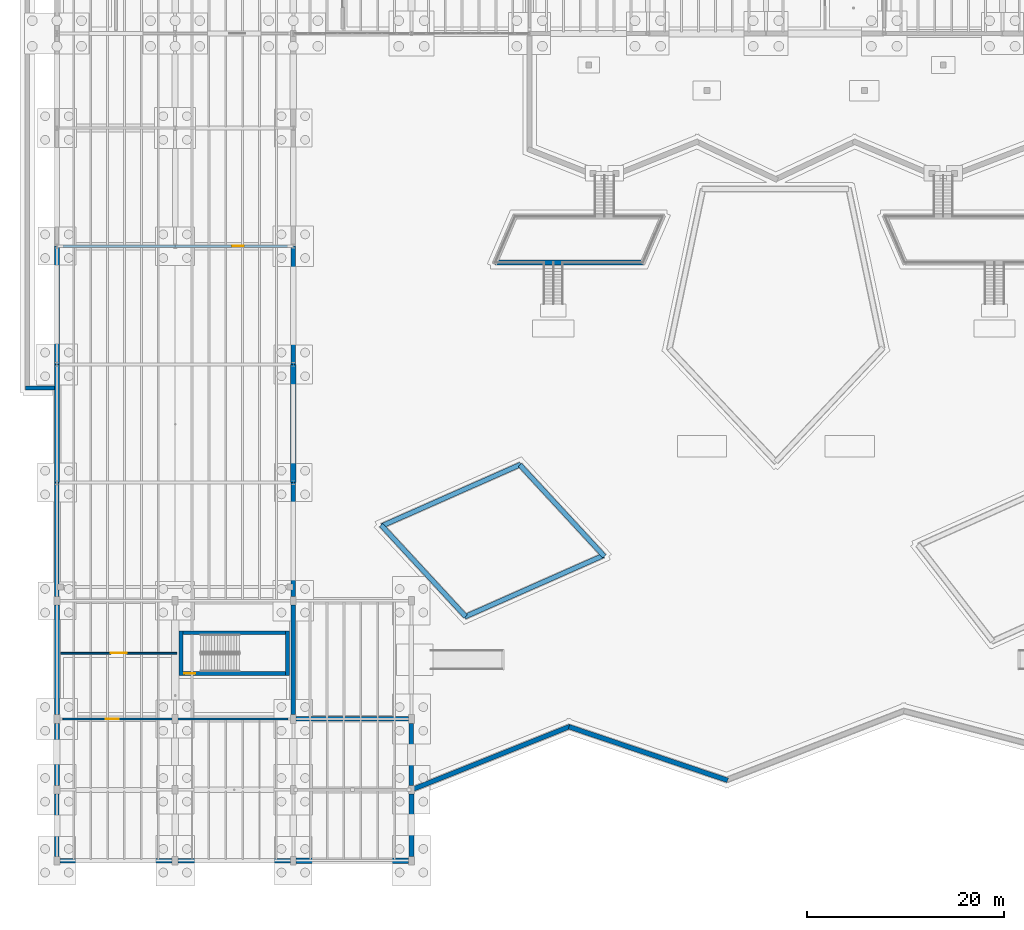
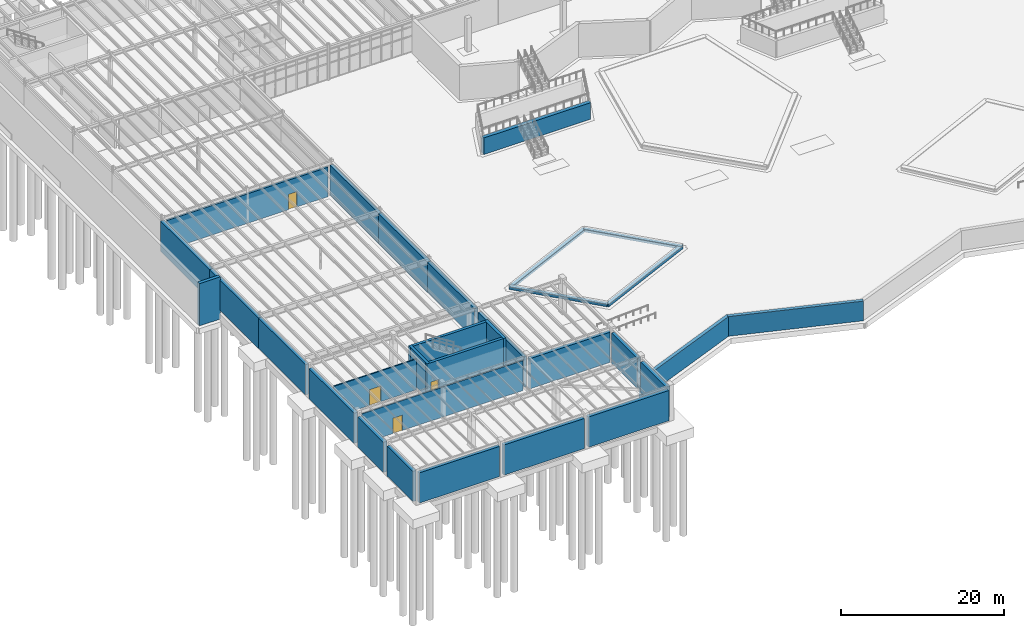
# One storey, part 32 of 67: 31 walls, 4 doors, 4 openings.
"""IFC4 building model written with IfcOpenShell, lengths in metres."""

from ifc_helpers import new_model, si_unit, direction, frame, frame_2d, origin, place, context, subcontext, project, spatial, rectangle, extrude, material, layer, layer_set, type_object, element, fill, save


model = new_model("IFC4")

# Units and contexts
model_context = context("Model", 3, precision=1e-05, world=origin(), true_north=direction((0.0, 1.0)))
body_context = subcontext(model_context, "Body", "Model", "MODEL_VIEW")
ifc_project = project(units=[si_unit("LENGTHUNIT", "METRE"), si_unit("AREAUNIT", "SQUARE_METRE"), si_unit("VOLUMEUNIT", "CUBIC_METRE"), si_unit("PLANEANGLEUNIT", "RADIAN"), si_unit("MASSUNIT", "GRAM", prefix="KILO")], contexts=[model_context])

# Site, building, storey
site_placement = place(None, origin())
site = spatial("IfcSite", under=ifc_project, at=site_placement, CompositionType="ELEMENT")
building_placement = place(site_placement, origin())
building = spatial("IfcBuilding", under=site, at=building_placement, Name="Zlatogorsky Bluff Art Gallery", CompositionType="ELEMENT")
storey_placement = place(building_placement, frame((0.0, 0.0, -5.39990234375)))
storey = spatial("IfcBuildingStorey", under=building, at=storey_placement, Name="B1", CompositionType="ELEMENT", Elevation=-5.39990234375)

# Walls
ifc_material_1 = material(Name="Precast concrete C40/50", Category="concrete")
ifc_layer_1 = layer(ifc_material_1, 0.47998046875)
ifc_layer_set_1 = layer_set([ifc_layer_1], Name="Exterior Wall EW-05 480mm")
wall_type_1 = type_object("IfcWallType", Name="Exterior Wall EW-05 480mm", PredefinedType="SOLIDWALL", material=ifc_layer_set_1)
wall_1_placement = place(storey_placement, frame((36.0, 7.199951171875, -1.300048828125), z_axis=(0.0, 0.0, 1.0), x_axis=(0.92847572057, 0.371393102132, 0.0)))
element("IfcWall", 1, at=wall_1_placement, inside=storey, type_object=wall_type_1, Name="Stepped river-bluff angled concrete wall SBF-01", PredefinedType="SOLIDWALL", context=body_context, shape_type="SweptSolid", body=[
    extrude(rectangle(XDim=17.3525390625, YDim=0.47998046875, at=frame_2d((8.67626953125, 0.0))), origin(), (0.0, 0.0, 1.0), 2.949951171875),
])
wall_2_placement = place(storey_placement, frame((52.0, 13.60009765625, -1.300048828125), z_axis=(0.0, 0.0, 1.0), x_axis=(0.947490865378, -0.319782832599, 0.0)))
element("IfcWall", 2, at=wall_2_placement, inside=storey, type_object=wall_type_1, Name="Stepped river-bluff angled concrete wall SBF-02", PredefinedType="SOLIDWALL", context=body_context, shape_type="SweptSolid", body=[
    extrude(rectangle(XDim=17.0068359375, YDim=0.47998046875, at=frame_2d((8.50341796875, 0.0))), origin(), (0.0, 0.0, 1.0), 2.949951171875),
])
wall_3_placement = place(storey_placement, frame((33.0, 34.0, 0.0), z_axis=(0.0, 0.0, 1.0), x_axis=(0.914349640689, 0.4049255914, 0.0)))
element("IfcWall", 3, at=wall_3_placement, inside=storey, type_object=wall_type_1, Name="Stepped river-bluff angled concrete wall WPL-01", PredefinedType="SOLIDWALL", context=body_context, shape_type="SweptSolid", body=[
    extrude(rectangle(XDim=15.431396484375, YDim=0.47998046875, at=frame_2d((7.7158203125, 0.0))), origin(), (0.0, 0.0, 1.0), 0.3798828125),
])
wall_4_placement = place(storey_placement, frame((47.0, 40.199951171875, 0.0), z_axis=(0.0, 0.0, 1.0), x_axis=(0.678608000796, -0.734500633938, 0.0)))
element("IfcWall", 4, at=wall_4_placement, inside=storey, type_object=wall_type_1, Name="Stepped river-bluff angled concrete wall WPL-02", PredefinedType="SOLIDWALL", context=body_context, shape_type="SweptSolid", body=[
    extrude(rectangle(XDim=12.6455078125, YDim=0.47998046875, at=frame_2d((6.32275390625, 0.0))), origin(), (0.0, 0.0, 1.0), 0.3798828125),
])
wall_5_placement = place(storey_placement, frame((55.5, 31.0, 0.0), z_axis=(0.0, 0.0, 1.0), x_axis=(-0.914349640689, -0.4049255914, 0.0)))
element("IfcWall", 5, at=wall_5_placement, inside=storey, type_object=wall_type_1, Name="Stepped river-bluff angled concrete wall WPL-03", PredefinedType="SOLIDWALL", context=body_context, shape_type="SweptSolid", body=[
    extrude(rectangle(XDim=15.431396484375, YDim=0.47998046875, at=frame_2d((7.7158203125, 0.0))), origin(), (0.0, 0.0, 1.0), 0.3798828125),
])
wall_6_placement = place(storey_placement, frame((41.5, 24.800048828125, 0.0), z_axis=(0.0, 0.0, 1.0), x_axis=(-0.678608000796, 0.734500633938, 0.0)))
element("IfcWall", 6, at=wall_6_placement, inside=storey, type_object=wall_type_1, Name="Stepped river-bluff angled concrete wall WPL-04", PredefinedType="SOLIDWALL", context=body_context, shape_type="SweptSolid", body=[
    extrude(rectangle(XDim=12.6455078125, YDim=0.47998046875, at=frame_2d((6.32275390625, 0.0))), origin(), (0.0, 0.0, 1.0), 0.3798828125),
])
ifc_material_2 = material(Name="Concrete C35/45", Category="concrete")
ifc_layer_2 = layer(ifc_material_2, 0.449951171875)
ifc_layer_set_2 = layer_set([ifc_layer_2], Name="Exterior Wall RW-01 450mm")
wall_type_2 = type_object("IfcWallType", Name="Exterior Wall RW-01 450mm", PredefinedType="USERDEFINED", material=ifc_layer_set_2)
wall_7_placement = place(storey_placement, frame((-0.22998046875, 48.0, -1.300048828125), z_axis=(0.0, 0.0, 1.0), x_axis=(-1.0, 0.0, 0.0)))
element("IfcWall", 7, at=wall_7_placement, inside=storey, type_object=wall_type_2, Name="Stepped river-bluff angled concrete wall NSK-01", ObjectType="RETAINING WALL", PredefinedType="USERDEFINED", context=body_context, shape_type="SweptSolid", body=[
    extrude(rectangle(XDim=2.949951171875, YDim=0.449951171875, at=frame_2d((1.47509765625, 0.0))), origin(), (0.0, 0.0, 1.0), 6.33984375),
])
wall_8_placement = place(storey_placement, frame((0.294921875, 0.0, 0.0), z_axis=(0.0, 0.0, 1.0), x_axis=(1.0, 0.0, 0.0)))
element("IfcWall", 8, at=wall_8_placement, inside=storey, type_object=wall_type_2, Name="Exterior wall RW-01 B1 S 0.0", ObjectType="RETAINING WALL", PredefinedType="USERDEFINED", context=body_context, shape_type="SweptSolid", body=[
    extrude(rectangle(XDim=11.41015625, YDim=0.449951171875, at=frame_2d((5.705078125, 0.0))), origin(), (0.0, 0.0, 1.0), 4.539794921875),
])
wall_9_placement = place(storey_placement, frame((0.0, 6.7548828125, 0.0), z_axis=(0.0, 0.0, 1.0), x_axis=(0.0, -1.0, 0.0)))
element("IfcWall", 9, at=wall_9_placement, inside=storey, type_object=wall_type_2, Name="Exterior wall RW-01 B1 W 0.0", ObjectType="RETAINING WALL", PredefinedType="USERDEFINED", context=body_context, shape_type="SweptSolid", body=[
    extrude(rectangle(XDim=6.309814453125, YDim=0.449951171875, at=frame_2d((3.15478515625, 0.0))), origin(), (0.0, 0.0, 1.0), 4.539794921875),
])
wall_10_placement = place(storey_placement, frame((0.0, 38.39990234375, 0.0), z_axis=(0.0, 0.0, 1.0), x_axis=(0.0, -1.0, 0.0)))
element("IfcWall", 10, at=wall_10_placement, inside=storey, type_object=wall_type_2, Name="Exterior wall RW-01 B1 W 0.3", ObjectType="RETAINING WALL", PredefinedType="USERDEFINED", context=body_context, shape_type="SweptSolid", body=[
    extrude(rectangle(XDim=11.554931640625, YDim=0.449951171875, at=frame_2d((5.77734375, 0.0))), origin(), (0.0, 0.0, 1.0), 4.539794921875),
])
wall_11_placement = place(storey_placement, frame((24.0, 14.844970703125, 0.0), z_axis=(0.0, 0.0, 1.0), x_axis=(0.0, 1.0, 0.0)))
element("IfcWall", 11, at=wall_11_placement, inside=storey, type_object=wall_type_2, Name="Exterior wall RW-01 B1 E 1.2", ObjectType="RETAINING WALL", PredefinedType="USERDEFINED", context=body_context, shape_type="SweptSolid", body=[
    extrude(rectangle(XDim=11.110107421875, YDim=0.449951171875, at=frame_2d((5.55517578125, 0.0))), origin(), (0.0, 0.0, 1.0), 4.539794921875),
])
wall_12_placement = place(storey_placement, frame((24.0, 50.39990234375, 0.0), z_axis=(0.0, 0.0, 1.0), x_axis=(0.0, 1.0, 0.0)))
element("IfcWall", 12, at=wall_12_placement, inside=storey, type_object=wall_type_2, Name="Exterior wall RW-01 B1 E 1.5", ObjectType="RETAINING WALL", PredefinedType="USERDEFINED", context=body_context, shape_type="SweptSolid", body=[
    extrude(rectangle(XDim=12.0, YDim=0.449951171875, at=frame_2d((6.0, 0.0))), origin(), (0.0, 0.0, 1.0), 4.539794921875),
])
wall_13_placement = place(storey_placement, frame((35.705078125, 14.39990234375, 0.0), z_axis=(0.0, 0.0, 1.0), x_axis=(-1.0, 0.0, 0.0)))
element("IfcWall", 13, at=wall_13_placement, inside=storey, type_object=wall_type_2, Name="Exterior wall RW-01 B1 N 2.1", ObjectType="RETAINING WALL", PredefinedType="USERDEFINED", context=body_context, shape_type="SweptSolid", body=[
    extrude(rectangle(XDim=11.41015625, YDim=0.449951171875, at=frame_2d((5.705078125, 0.0))), origin(), (0.0, 0.0, 1.0), 4.539794921875),
])
wall_14_placement = place(storey_placement, frame((36.0, 7.64501953125, 0.0), z_axis=(0.0, 0.0, 1.0), x_axis=(0.0, 1.0, 0.0)))
element("IfcWall", 14, at=wall_14_placement, inside=storey, type_object=wall_type_2, Name="Exterior wall RW-01 B1 E 2.1", ObjectType="RETAINING WALL", PredefinedType="USERDEFINED", context=body_context, shape_type="SweptSolid", body=[
    extrude(rectangle(XDim=6.31005859375, YDim=0.449951171875, at=frame_2d((3.155029296875, 0.0))), origin(), (0.0, 0.0, 1.0), 4.539794921875),
])
ifc_layer_3 = layer(ifc_material_2, 0.5)
ifc_layer_set_3 = layer_set([ifc_layer_3], Name="Exterior Wall RW-02 500mm")
wall_type_3 = type_object("IfcWallType", Name="Exterior Wall RW-02 500mm", PredefinedType="USERDEFINED", material=ifc_layer_set_3)
wall_15_placement = place(storey_placement, frame((0.0, 13.955078125, 0.0), z_axis=(0.0, 0.0, 1.0), x_axis=(0.0, -1.0, 0.0)))
element("IfcWall", 15, at=wall_15_placement, inside=storey, type_object=wall_type_3, Name="Exterior wall RW-02 B1 W 0.1", ObjectType="RETAINING WALL", PredefinedType="USERDEFINED", context=body_context, shape_type="SweptSolid", body=[
    extrude(rectangle(XDim=6.31005859375, YDim=0.5, at=frame_2d((3.155029296875, 0.0))), origin(), (0.0, 0.0, 1.0), 4.539794921875),
])
wall_16_placement = place(storey_placement, frame((0.0, 50.39990234375, 0.0), z_axis=(0.0, 0.0, 1.0), x_axis=(0.0, -1.0, 0.0)))
element("IfcWall", 16, at=wall_16_placement, inside=storey, type_object=wall_type_3, Name="Exterior wall RW-02 B1 W 0.4", ObjectType="RETAINING WALL", PredefinedType="USERDEFINED", context=body_context, shape_type="SweptSolid", body=[
    extrude(rectangle(XDim=12.0, YDim=0.5, at=frame_2d((6.0, 0.0))), origin(), (0.0, 0.0, 1.0), 4.539794921875),
])
wall_17_placement = place(storey_placement, frame((12.294921875, 0.0, 0.0), z_axis=(0.0, 0.0, 1.0), x_axis=(1.0, 0.0, 0.0)))
element("IfcWall", 17, at=wall_17_placement, inside=storey, type_object=wall_type_3, Name="Exterior wall RW-02 B1 S 1.0", ObjectType="RETAINING WALL", PredefinedType="USERDEFINED", context=body_context, shape_type="SweptSolid", body=[
    extrude(rectangle(XDim=11.41015625, YDim=0.5, at=frame_2d((5.705078125, 0.0))), origin(), (0.0, 0.0, 1.0), 4.539794921875),
])
wall_18_placement = place(storey_placement, frame((24.0, 26.844970703125, 0.0), z_axis=(0.0, 0.0, 1.0), x_axis=(0.0, 1.0, 0.0)))
element("IfcWall", 18, at=wall_18_placement, inside=storey, type_object=wall_type_3, Name="Exterior wall RW-02 B1 E 1.3", ObjectType="RETAINING WALL", PredefinedType="USERDEFINED", context=body_context, shape_type="SweptSolid", body=[
    extrude(rectangle(XDim=11.554931640625, YDim=0.5, at=frame_2d((5.77734375, 0.0))), origin(), (0.0, 0.0, 1.0), 4.539794921875),
])
ifc_layer_4 = layer(ifc_material_2, 0.52001953125)
ifc_layer_set_4 = layer_set([ifc_layer_4], Name="Exterior Wall RW-03 520mm")
wall_type_4 = type_object("IfcWallType", Name="Exterior Wall RW-03 520mm", PredefinedType="USERDEFINED", material=ifc_layer_set_4)
wall_19_placement = place(storey_placement, frame((44.5, 60.75, 0.0), z_axis=(0.0, 0.0, 1.0), x_axis=(1.0, 0.0, 0.0)))
element("IfcWall", 19, at=wall_19_placement, inside=storey, type_object=wall_type_4, Name="Stepped river-bluff angled concrete wall WMD-01", ObjectType="RETAINING WALL", PredefinedType="USERDEFINED", context=body_context, shape_type="SweptSolid", body=[
    extrude(rectangle(XDim=15.179931640625, YDim=0.52001953125, at=frame_2d((7.58984375, 0.0))), origin(), (0.0, 0.0, 1.0), 2.489990234375),
])
wall_20_placement = place(storey_placement, frame((0.0, 25.955078125, 0.0), z_axis=(0.0, 0.0, 1.0), x_axis=(0.0, -1.0, 0.0)))
element("IfcWall", 20, at=wall_20_placement, inside=storey, type_object=wall_type_4, Name="Exterior wall RW-03 B1 W 0.2", ObjectType="RETAINING WALL", PredefinedType="USERDEFINED", context=body_context, shape_type="SweptSolid", body=[
    extrude(rectangle(XDim=11.110107421875, YDim=0.52001953125, at=frame_2d((5.55517578125, 0.0))), origin(), (0.0, 0.0, 1.0), 4.539794921875),
])
for number, where, z_axis, x_axis, name in (
    (21, (0.0, 62.39990234375, 0.0), (0.0, 0.0, 1.0), (0.0, -1.0, 0.0), "Exterior wall RW-03 B1 W 0.5"),
    (22, (24.0, 38.39990234375, 0.0), (0.0, 0.0, 1.0), (0.0, 1.0, 0.0), "Exterior wall RW-03 B1 E 1.4"),
):
    element("IfcWall", number, at=place(storey_placement, frame(where, z_axis=z_axis, x_axis=x_axis)), inside=storey, type_object=wall_type_4, Name=name, ObjectType="RETAINING WALL", PredefinedType="USERDEFINED", context=body_context, shape_type="SweptSolid", body=[
        extrude(rectangle(XDim=12.0, YDim=0.52001953125, at=frame_2d((6.0, 0.0))), origin(), (0.0, 0.0, 1.0), 4.539794921875),
    ])
wall_21_placement = place(storey_placement, frame((24.294921875, 0.0, 0.0), z_axis=(0.0, 0.0, 1.0), x_axis=(1.0, 0.0, 0.0)))
element("IfcWall", 23, at=wall_21_placement, inside=storey, type_object=wall_type_4, Name="Exterior wall RW-03 B1 S 2.0", ObjectType="RETAINING WALL", PredefinedType="USERDEFINED", context=body_context, shape_type="SweptSolid", body=[
    extrude(rectangle(XDim=11.41015625, YDim=0.52001953125, at=frame_2d((5.705078125, 0.0))), origin(), (0.0, 0.0, 1.0), 4.539794921875),
])
wall_22_placement = place(storey_placement, frame((36.0, 0.445068359375, 0.0), z_axis=(0.0, 0.0, 1.0), x_axis=(0.0, 1.0, 0.0)))
element("IfcWall", 24, at=wall_22_placement, inside=storey, type_object=wall_type_4, Name="Exterior wall RW-03 B1 E 2.0", ObjectType="RETAINING WALL", PredefinedType="USERDEFINED", context=body_context, shape_type="SweptSolid", body=[
    extrude(rectangle(XDim=6.309814453125, YDim=0.52001953125, at=frame_2d((3.15478515625, 0.0))), origin(), (0.0, 0.0, 1.0), 4.539794921875),
])

# Wall, opening, door
ifc_material_3 = material(Name="Concrete C30/37", Category="concrete")
ifc_layer_5 = layer(ifc_material_3, 0.179931640625)
ifc_layer_set_5 = layer_set([ifc_layer_5], Name="Interior Wall IW-02 180mm")
wall_type_5 = type_object("IfcWallType", Name="Interior Wall IW-02 180mm", PredefinedType="PARTITIONING", material=ifc_layer_set_5)
wall_23_placement = place(storey_placement, frame((0.594482421875, 14.39990234375, 0.0), z_axis=(0.0, 0.0, 1.0), x_axis=(1.0, 0.0, 0.0)))
wall_23 = element("IfcWall", 25, at=wall_23_placement, inside=storey, type_object=wall_type_5, Name="Partition IW-02 between B1-W1 and B1-A1-11", PredefinedType="PARTITIONING", context=body_context, shape_type="SweptSolid", body=[
    extrude(rectangle(XDim=22.84814453125, YDim=0.179931640625, at=frame_2d((11.424072265625, 0.0))), origin(), (0.0, 0.0, 1.0), 4.5),
])
opening_1_placement = place(wall_23_placement, frame((4.35205078125, 0.0, 0.0)))
opening_1 = element("IfcOpeningElement", 26, at=opening_1_placement, cuts=wall_23, Name="Opening ID-08", PredefinedType="OPENING", context=body_context, shape_type="SweptSolid", body=[
    extrude(rectangle(XDim=1.35009765625, YDim=2.300048828125, at=frame_2d((0.675048828125, 1.14990234375))), frame((0.0, 0.099853515625, 0.0), z_axis=(0.0, -1.0, 0.0), x_axis=(1.0, 0.0, 0.0)), (0.0, 0.0, 1.0), 0.199951171875),
])
ifc_material_4 = material(Name="Anodised Aluminium and Laminated Timber", Category="wood")
door_type_1 = type_object("IfcDoorType", Name="Interior Door ID-08 1350x2300", OperationType="DOUBLE_SWING_LEFT", PredefinedType="DOOR", material=ifc_material_4)
door_1_placement = place(opening_1_placement, origin())
door_1 = element("IfcDoor", 27, at=door_1_placement, inside=storey, type_object=door_type_1, Name="Door ID-08 B1-W1-B1-A1-11", OperationType="DOUBLE_SWING_LEFT", OverallHeight=2.300048828125, OverallWidth=1.35009765625, PredefinedType="DOOR", context=body_context, shape_type="SweptSolid", body=[
    extrude(rectangle(XDim=1.35009765625, YDim=2.300048828125, at=frame_2d((0.675048828125, 1.14990234375))), frame((0.0, 0.02490234375, 0.0), z_axis=(0.0, -1.0, 0.0), x_axis=(1.0, 0.0, 0.0)), (0.0, 0.0, 1.0), 0.050048828125),
])
fill(opening_1, door_1)

wall_24_placement = place(storey_placement, frame((0.3798828125, 21.074951171875, 0.0), z_axis=(0.0, 0.0, 1.0), x_axis=(1.0, 0.0, 0.0)))
wall_24 = element("IfcWall", 28, at=wall_24_placement, inside=storey, type_object=wall_type_5, Name="Partition IW-02 between B1-A1-11 and B1-A1-12", PredefinedType="PARTITIONING", context=body_context, shape_type="SweptSolid", body=[
    extrude(rectangle(XDim=11.800048828125, YDim=0.179931640625, at=frame_2d((5.89990234375, 0.0))), origin(), (0.0, 0.0, 1.0), 4.60986328125),
])
opening_2_placement = place(wall_24_placement, frame((5.074951171875, 0.0, 0.0)))
opening_2 = element("IfcOpeningElement", 29, at=opening_2_placement, cuts=wall_24, Name="Opening ID-10", PredefinedType="OPENING", context=body_context, shape_type="SweptSolid", body=[
    extrude(rectangle(XDim=1.64990234375, YDim=2.35009765625, at=frame_2d((0.824951171875, 1.175048828125))), frame((0.0, 0.099853515625, 0.0), z_axis=(0.0, -1.0, 0.0), x_axis=(1.0, 0.0, 0.0)), (0.0, 0.0, 1.0), 0.199951171875),
])
door_type_2 = type_object("IfcDoorType", Name="Interior Door ID-10 1650x2350", OperationType="DOUBLE_DOOR_SINGLE_SWING", PredefinedType="DOOR", material=ifc_material_4)
door_2_placement = place(opening_2_placement, origin())
door_2 = element("IfcDoor", 30, at=door_2_placement, inside=storey, type_object=door_type_2, Name="Door ID-10 B1-A1-11-B1-A1-12", OperationType="DOUBLE_DOOR_SINGLE_SWING", OverallHeight=2.35009765625, OverallWidth=1.64990234375, PredefinedType="DOOR", context=body_context, shape_type="SweptSolid", body=[
    extrude(rectangle(XDim=1.64990234375, YDim=2.35009765625, at=frame_2d((0.824951171875, 1.175048828125))), frame((0.0, 0.02490234375, 0.0), z_axis=(0.0, -1.0, 0.0), x_axis=(1.0, 0.0, 0.0)), (0.0, 0.0, 1.0), 0.050048828125),
])
fill(opening_2, door_2)

ifc_layer_6 = layer(ifc_material_2, 0.280029296875)
ifc_layer_set_6 = layer_set([ifc_layer_6], Name="Interior Wall IW-06 280mm")
wall_type_6 = type_object("IfcWallType", Name="Interior Wall IW-06 280mm", PredefinedType="SOLIDWALL", material=ifc_layer_set_6)
wall_25_placement = place(storey_placement, frame((0.594482421875, 62.39990234375, 0.0), z_axis=(0.0, 0.0, 1.0), x_axis=(1.0, 0.0, 0.0)))
wall_25 = element("IfcWall", 31, at=wall_25_placement, inside=storey, type_object=wall_type_6, Name="Partition IW-06 between B1-A1-12 and B1-P1", PredefinedType="SOLIDWALL", context=body_context, shape_type="SweptSolid", body=[
    extrude(rectangle(XDim=22.81103515625, YDim=0.280029296875, at=frame_2d((11.405517578125, 0.0))), origin(), (0.0, 0.0, 1.0), 4.419921875),
])
opening_3_placement = place(wall_25_placement, frame((17.193115234375, 0.0, 0.0)))
opening_3 = element("IfcOpeningElement", 32, at=opening_3_placement, cuts=wall_25, Name="Opening ID-07", PredefinedType="OPENING", context=body_context, shape_type="SweptSolid", body=[
    extrude(rectangle(XDim=1.199951171875, YDim=2.300048828125, at=frame_2d((0.60009765625, 1.14990234375))), frame((0.0, 0.14990234375, 0.0), z_axis=(0.0, -1.0, 0.0), x_axis=(1.0, 0.0, 0.0)), (0.0, 0.0, 1.0), 0.300048828125),
])
door_type_3 = type_object("IfcDoorType", Name="Interior Door ID-07 1200x2300", OperationType="SINGLE_SWING_LEFT", PredefinedType="DOOR", material=ifc_material_4)
door_3_placement = place(opening_3_placement, origin())
door_3 = element("IfcDoor", 33, at=door_3_placement, inside=storey, type_object=door_type_3, Name="Door ID-07 B1-A1-12-B1-P1", OperationType="SINGLE_SWING_LEFT", OverallHeight=2.300048828125, OverallWidth=1.199951171875, PredefinedType="DOOR", context=body_context, shape_type="SweptSolid", body=[
    extrude(rectangle(XDim=1.199951171875, YDim=2.300048828125, at=frame_2d((0.60009765625, 1.14990234375))), frame((0.0, 0.02490234375, 0.0), z_axis=(0.0, -1.0, 0.0), x_axis=(1.0, 0.0, 0.0)), (0.0, 0.0, 1.0), 0.050048828125),
])
fill(opening_3, door_3)

ifc_layer_7 = layer(ifc_material_2, 0.39990234375)
ifc_layer_set_7 = layer_set([ifc_layer_7], Name="Interior Wall SW-03 400mm")
wall_type_7 = type_object("IfcWallType", Name="Interior Wall SW-03 400mm", PredefinedType="SHEAR", material=ifc_layer_set_7)
wall_26_placement = place(storey_placement, frame((12.39990234375, 19.0, 0.0), z_axis=(0.0, 0.0, 1.0), x_axis=(1.0, 0.0, 0.0)))
wall_26 = element("IfcWall", 34, at=wall_26_placement, inside=storey, type_object=wall_type_7, Name="Stair ST-09 enclosure wall B1 W0", PredefinedType="SHEAR", context=body_context, shape_type="SweptSolid", body=[
    extrude(rectangle(XDim=11.2001953125, YDim=0.39990234375, at=frame_2d((5.60009765625, 0.0))), origin(), (0.0, 0.0, 1.0), 5.119873046875),
])
opening_4_placement = place(wall_26_placement, frame((0.550048828125, 0.0, 0.0)))
opening_4 = element("IfcOpeningElement", 35, at=opening_4_placement, cuts=wall_26, Name="Opening FD-01", PredefinedType="OPENING", context=body_context, shape_type="SweptSolid", body=[
    extrude(rectangle(XDim=1.1201171875, YDim=2.199951171875, at=frame_2d((0.56005859375, 1.10009765625))), frame((0.0, 0.2099609375, 0.0), z_axis=(0.0, -1.0, 0.0), x_axis=(1.0, 0.0, 0.0)), (0.0, 0.0, 1.0), 0.419921875),
])
door_type_4 = type_object("IfcDoorType", Name="Interior Door FD-01 1120x2200", OperationType="SINGLE_SWING_LEFT", PredefinedType="DOOR", material=ifc_material_4)
door_4_placement = place(opening_4_placement, origin())
door_4 = element("IfcDoor", 36, at=door_4_placement, inside=storey, type_object=door_type_4, Name="Stair ST-09 fire door B1", OperationType="SINGLE_SWING_RIGHT", OverallHeight=2.199951171875, OverallWidth=1.1201171875, PredefinedType="DOOR", context=body_context, shape_type="SweptSolid", body=[
    extrude(rectangle(XDim=1.1201171875, YDim=2.199951171875, at=frame_2d((0.56005859375, 1.10009765625))), frame((0.0, 0.02490234375, 0.0), z_axis=(0.0, -1.0, 0.0), x_axis=(1.0, 0.0, 0.0)), (0.0, 0.0, 1.0), 0.050048828125),
])
fill(opening_4, door_4)

# Walls
wall_27_placement = place(storey_placement, frame((23.39990234375, 18.800048828125, 0.0), z_axis=(0.0, 0.0, 1.0), x_axis=(0.0, 1.0, 0.0)))
element("IfcWall", 37, at=wall_27_placement, inside=storey, type_object=wall_type_7, Name="Stair ST-09 enclosure wall B1 FEND", PredefinedType="SHEAR", context=body_context, shape_type="SweptSolid", body=[
    extrude(rectangle(XDim=4.550048828125, YDim=0.39990234375, at=frame_2d((2.27490234375, 0.0))), origin(), (0.0, 0.0, 1.0), 5.119873046875),
])
wall_28_placement = place(storey_placement, frame((23.60009765625, 23.14990234375, 0.0), z_axis=(0.0, 0.0, 1.0), x_axis=(-1.0, 0.0, 0.0)))
element("IfcWall", 38, at=wall_28_placement, inside=storey, type_object=wall_type_7, Name="Stair ST-09 enclosure wall B1 W1", PredefinedType="SHEAR", context=body_context, shape_type="SweptSolid", body=[
    extrude(rectangle(XDim=11.2001953125, YDim=0.39990234375, at=frame_2d((5.60009765625, 0.0))), origin(), (0.0, 0.0, 1.0), 5.119873046875),
])
wall_29_placement = place(storey_placement, frame((12.60009765625, 23.35009765625, 0.0), z_axis=(0.0, 0.0, 1.0), x_axis=(0.0, -1.0, 0.0)))
element("IfcWall", 39, at=wall_29_placement, inside=storey, type_object=wall_type_7, Name="Stair ST-09 enclosure wall B1 LEND", PredefinedType="SHEAR", context=body_context, shape_type="SweptSolid", body=[
    extrude(rectangle(XDim=4.550048828125, YDim=0.39990234375, at=frame_2d((2.27490234375, 0.0))), origin(), (0.0, 0.0, 1.0), 5.119873046875),
])

save(model, "model.ifc")
